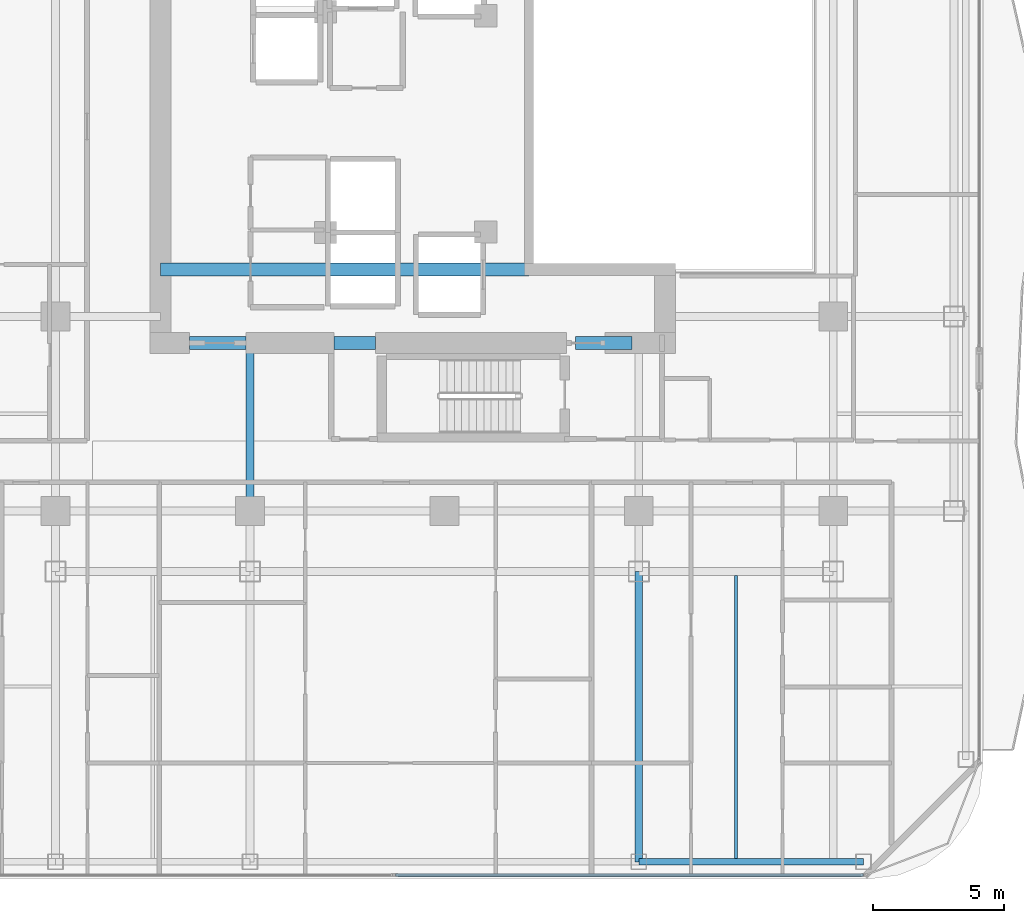
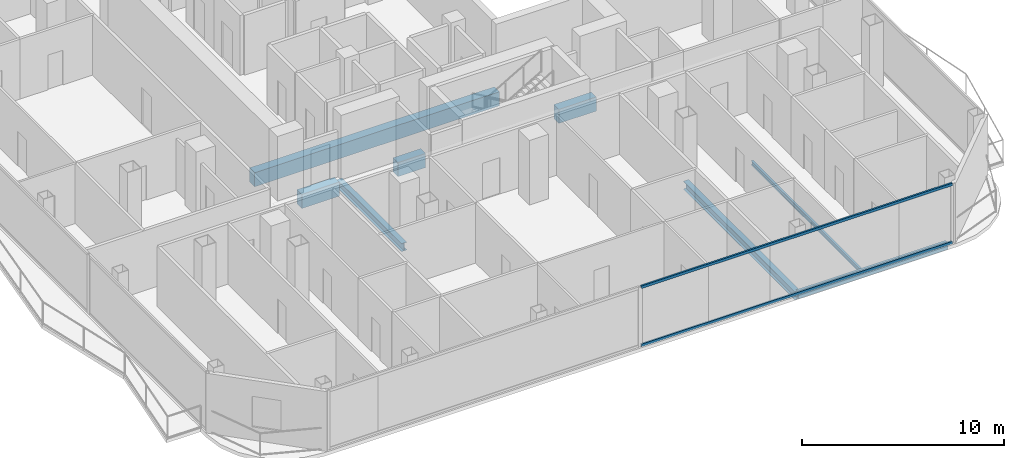
# One storey, part 7 of 23: 8 beams, 2 members, 1 element without a shape of its own.
"""IFC4 building model written with IfcOpenShell, lengths in metres."""

from ifc_helpers import new_model, si_unit, direction, frame, origin, origin_2d, place, context, subcontext, project, spatial, rectangle, hollow_rectangle, i_section, extrude, material, layer, layer_set, material_profile, profile_set, type_object, element, aggregate, save


model = new_model("IFC4")

# Units and contexts
model_context = context("Model", 3, precision=1e-05, world=origin(), true_north=direction((0.0, 1.0)))
body_context = subcontext(model_context, "Body", "Model", "MODEL_VIEW")
ifc_project = project(units=[si_unit("LENGTHUNIT", "METRE"), si_unit("AREAUNIT", "SQUARE_METRE"), si_unit("VOLUMEUNIT", "CUBIC_METRE"), si_unit("PLANEANGLEUNIT", "RADIAN"), si_unit("MASSUNIT", "GRAM", prefix="KILO")], contexts=[model_context])

# Site, building, storey
site_placement = place(None, origin())
site = spatial("IfcSite", under=ifc_project, at=site_placement, CompositionType="ELEMENT")
building_placement = place(site_placement, origin())
building = spatial("IfcBuilding", under=site, at=building_placement, Name="Khorvyn Point Tower", CompositionType="ELEMENT")
storey_placement = place(building_placement, frame((0.0, 0.0, 207.0)))
storey = spatial("IfcBuildingStorey", under=building, at=storey_placement, Name="L51", CompositionType="ELEMENT", Elevation=207.0)

# Curtain wall, members
ifc_material_1 = material(Name="Anodised aluminium 6063-T6 and laminated Low-E glass", Category="aluminium")
ifc_layer = layer(ifc_material_1, 0.18994140625)
ifc_layer_set = layer_set([ifc_layer], Name="Stick-Built Acoustic Curtain Wall CW-SYS-03")
curtain_wall_type = type_object("IfcCurtainWallType", Name="Stick-Built Acoustic Curtain Wall CW-SYS-03", PredefinedType="NOTDEFINED", material=ifc_layer_set)
curtain_wall_placement = place(storey_placement, origin())
curtain_wall = element("IfcCurtainWall", 1, at=curtain_wall_placement, inside=storey, type_object=curtain_wall_type, Name="Curtain Wall", PredefinedType="NOTDEFINED")
ifc_material_2 = material(Name="Anodised aluminium 6063-T6", Category="aluminium")
ifc_material_profile_1 = material_profile(ifc_material_2, hollow_rectangle(XDim=0.10009765625, YDim=0.159912109375, WallThickness=0.00439453125, at=origin_2d()))
ifc_profile_set_1 = profile_set([ifc_material_profile_1], Name="Anodised aluminium 6063-T6 ALU-TRN-100x160")
member_type = type_object("IfcMemberType", Name="Anodised Aluminium 6063-T6 Transom ALU-TRN-100x160", PredefinedType="USERDEFINED", material=ifc_profile_set_1)
member_1_placement = place(storey_placement, frame((15.949951171875, -28.64990234375, 0.050048828125), z_axis=(-1.0, 0.0, 0.0), x_axis=(0.0, -1.0, 0.0)))
member_1 = element("IfcMember", 2, at=member_1_placement, type_object=member_type, Name="Transom", ObjectType="TRANSOM", PredefinedType="USERDEFINED", context=body_context, shape_type="SweptSolid", body=[
    extrude(hollow_rectangle(XDim=0.10009765625, YDim=0.159912109375, WallThickness=0.00439453125, at=origin_2d()), origin(), (0.0, 0.0, 1.0), 17.800048828125),
])
member_2_placement = place(storey_placement, frame((15.949951171875, -28.64990234375, 3.570068359375), z_axis=(-1.0, 0.0, 0.0), x_axis=(0.0, -1.0, 0.0)))
member_2 = element("IfcMember", 3, at=member_2_placement, type_object=member_type, Name="Transom", ObjectType="TRANSOM", PredefinedType="USERDEFINED", context=body_context, shape_type="SweptSolid", body=[
    extrude(hollow_rectangle(XDim=0.10009765625, YDim=0.159912109375, WallThickness=0.00439453125, at=origin_2d()), origin(), (0.0, 0.0, 1.0), 17.800048828125),
])
aggregate(curtain_wall, [member_1, member_2])

# Beams
ifc_material_3 = material(Name="Concrete C45/55", Category="concrete")
ifc_material_profile_2 = material_profile(ifc_material_3, rectangle(XDim=0.5, YDim=0.85009765625, at=origin_2d()))
ifc_profile_set_2 = profile_set([ifc_material_profile_2], Name="Concrete C45/55 RC500x850")
beam_type_1 = type_object("IfcBeamType", Name="Concrete C45/55 Beam RC500x850", PredefinedType="BEAM", material=ifc_profile_set_2)
beam_1_placement = place(storey_placement, frame((-10.800048828125, -5.60009765625, -0.64501953125), z_axis=(1.0, 0.0, 0.0), x_axis=(0.0, 1.0, 0.0)))
element("IfcBeam", 4, at=beam_1_placement, inside=storey, type_object=beam_type_1, Name="L51 Core Internal Tie Girder S", PredefinedType="BEAM", context=body_context, shape_type="SweptSolid", body=[
    extrude(rectangle(XDim=0.5, YDim=0.85009765625, at=origin_2d()), origin(), (0.0, 0.0, 1.0), 14.02001953125),
])
beam_2_placement = place(storey_placement, frame((-9.699951171875, -8.39990234375, -0.64501953125), z_axis=(1.0, 0.0, 0.0), x_axis=(0.0, 1.0, 0.0)))
element("IfcBeam", 5, at=beam_2_placement, inside=storey, type_object=beam_type_1, Name="L51 Core Southwest Portal Coupling Beam", PredefinedType="BEAM", context=body_context, shape_type="SweptSolid", body=[
    extrude(rectangle(XDim=0.5, YDim=0.85009765625, at=origin_2d()), origin(), (0.0, 0.0, 1.0), 2.14990234375),
])
beam_3_placement = place(storey_placement, frame((-4.199951171875, -8.39990234375, -0.64501953125), z_axis=(1.0, 0.0, 0.0), x_axis=(0.0, 1.0, 0.0)))
element("IfcBeam", 6, at=beam_3_placement, inside=storey, type_object=beam_type_1, Name="L51 Core Shuttle Portal Coupling Beam", PredefinedType="BEAM", context=body_context, shape_type="SweptSolid", body=[
    extrude(rectangle(XDim=0.5, YDim=0.85009765625, at=origin_2d()), origin(), (0.0, 0.0, 1.0), 1.579833984375),
])
beam_4_placement = place(storey_placement, frame((5.0, -8.39990234375, -0.64501953125), z_axis=(1.0, 0.0, 0.0), x_axis=(0.0, 1.0, 0.0)))
element("IfcBeam", 7, at=beam_4_placement, inside=storey, type_object=beam_type_1, Name="L51 Core Southeast Portal Coupling Beam", PredefinedType="BEAM", context=body_context, shape_type="SweptSolid", body=[
    extrude(rectangle(XDim=0.5, YDim=0.85009765625, at=origin_2d()), origin(), (0.0, 0.0, 1.0), 2.14990234375),
])
ifc_material_4 = material(Name="Steel S355", Category="steel")
ifc_material_profile_3 = material_profile(ifc_material_4, i_section(OverallWidth=0.125, OverallDepth=0.25, WebThickness=0.006103515625, FlangeThickness=0.009033203125, at=origin_2d()))
ifc_profile_set_3 = profile_set([ifc_material_profile_3], Name="Steel S355 H250x125x6x9")
beam_type_2 = type_object("IfcBeamType", Name="Steel S355 Joist H250x125x6x9", PredefinedType="JOIST", material=ifc_profile_set_3)
beam_5_placement = place(storey_placement, frame((11.10009765625, -28.02490234375, -0.344970703125), z_axis=(0.0, 1.0, 0.0), x_axis=(-1.0, 0.0, 0.0)))
element("IfcBeam", 8, at=beam_5_placement, inside=storey, type_object=beam_type_2, Name="Beam", PredefinedType="JOIST", context=body_context, shape_type="SweptSolid", body=[
    extrude(i_section(OverallWidth=0.125, OverallDepth=0.25, WebThickness=0.006103515625, FlangeThickness=0.009033203125, at=origin_2d()), origin(), (0.0, 0.0, 1.0), 10.77490234375),
])
ifc_material_profile_4 = material_profile(ifc_material_4, i_section(OverallWidth=0.300048828125, OverallDepth=0.488037109375, WebThickness=0.010986328125, FlangeThickness=0.01806640625, at=origin_2d()))
ifc_profile_set_4 = profile_set([ifc_material_profile_4], Name="Steel S355 H488x300x11x18")
beam_type_3 = type_object("IfcBeamType", Name="Steel S355 Spandrel H488x300x11x18", PredefinedType="SPANDREL", material=ifc_profile_set_4)
beam_6_placement = place(storey_placement, frame((-7.39990234375, -14.800048828125, -0.464111328125), z_axis=(0.0, 1.0, 0.0), x_axis=(-1.0, 0.0, 0.0)))
element("IfcBeam", 9, at=beam_6_placement, inside=storey, type_object=beam_type_3, Name="Beam", PredefinedType="SPANDREL", context=body_context, shape_type="SweptSolid", body=[
    extrude(i_section(OverallWidth=0.300048828125, OverallDepth=0.488037109375, WebThickness=0.010986328125, FlangeThickness=0.01806640625, at=origin_2d()), origin(), (0.0, 0.0, 1.0), 6.400146484375),
])
beam_7_placement = place(storey_placement, frame((7.39990234375, -28.14990234375, -0.464111328125), z_axis=(0.0, 1.0, 0.0), x_axis=(-1.0, 0.0, 0.0)))
element("IfcBeam", 10, at=beam_7_placement, inside=storey, type_object=beam_type_3, Name="Beam", PredefinedType="SPANDREL", context=body_context, shape_type="SweptSolid", body=[
    extrude(i_section(OverallWidth=0.300048828125, OverallDepth=0.488037109375, WebThickness=0.010986328125, FlangeThickness=0.01806640625, at=origin_2d()), origin(), (0.0, 0.0, 1.0), 11.0498046875),
])
ifc_material_profile_5 = material_profile(ifc_material_4, hollow_rectangle(XDim=0.25, YDim=0.39990234375, WallThickness=0.01611328125, at=origin_2d()))
ifc_profile_set_5 = profile_set([ifc_material_profile_5], Name="Steel S355 RHS400x250x16")
beam_type_4 = type_object("IfcBeamType", Name="Steel S355 Spandrel RHS400x250x16", PredefinedType="SPANDREL", material=ifc_profile_set_5)
beam_8_placement = place(storey_placement, frame((7.39990234375, -28.14990234375, -0.419921875), z_axis=(1.0, 0.0, 0.0), x_axis=(0.0, 1.0, 0.0)))
element("IfcBeam", 11, at=beam_8_placement, inside=storey, type_object=beam_type_4, Name="Beam", PredefinedType="SPANDREL", context=body_context, shape_type="SweptSolid", body=[
    extrude(hollow_rectangle(XDim=0.25, YDim=0.39990234375, WallThickness=0.01611328125, at=origin_2d()), origin(), (0.0, 0.0, 1.0), 8.550048828125),
])

save(model, "model.ifc")
